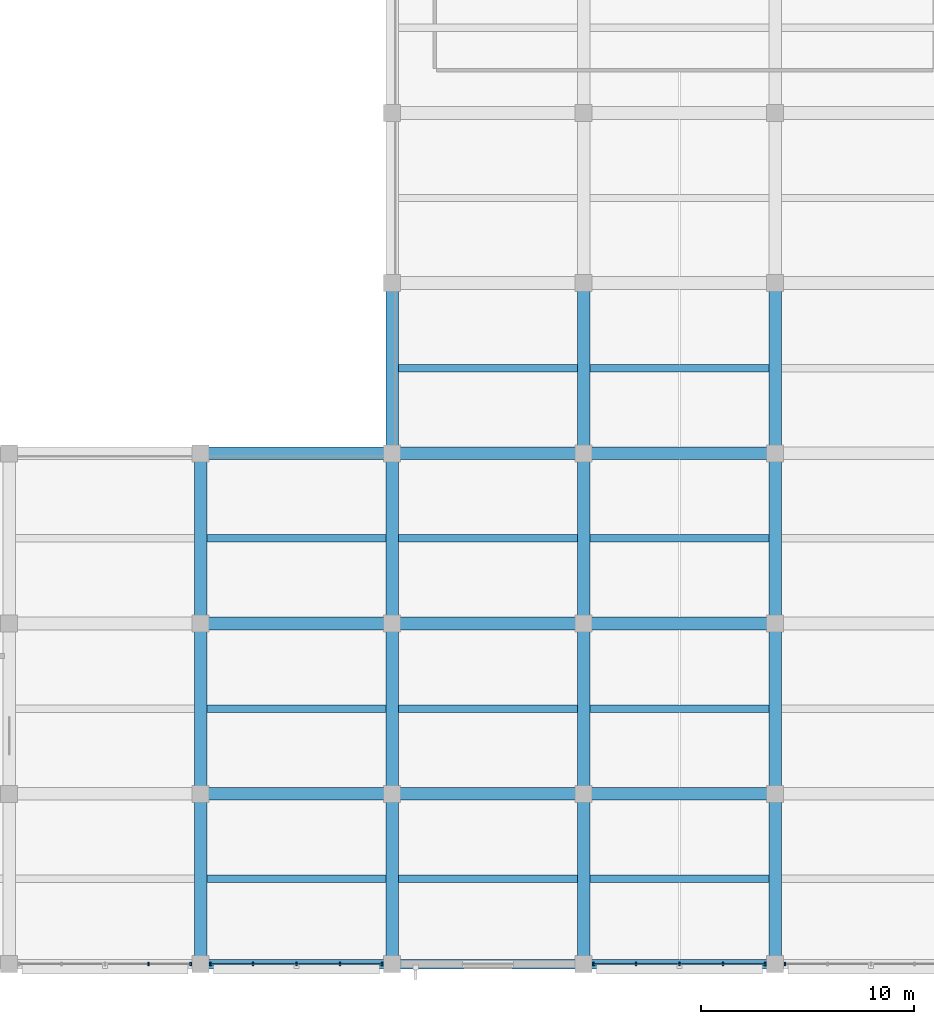
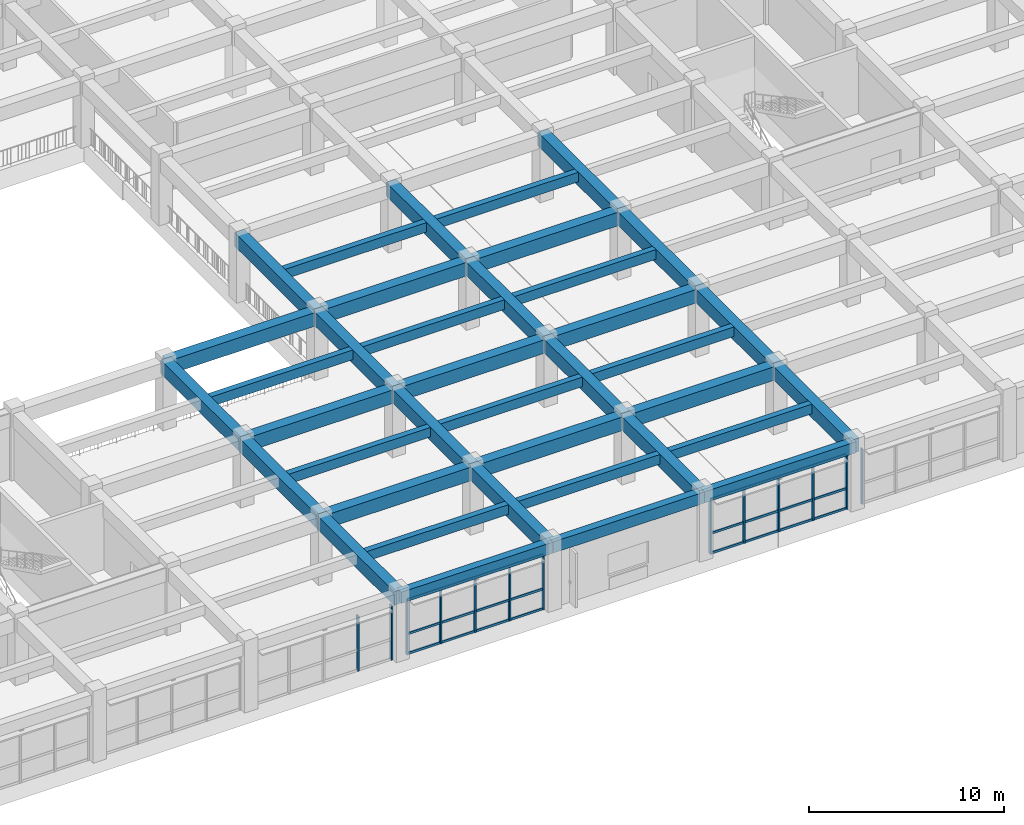
# One storey, part 11 of 50: 38 beams, 19 members, 4 elements without a shape of their own.
"""IFC4 building model written with IfcOpenShell, lengths in metres."""

from ifc_helpers import new_model, si_unit, direction, frame, origin, origin_2d, place, context, subcontext, project, spatial, rectangle, extrude, material, material_profile, profile_set, type_object, element, aggregate, save


model = new_model("IFC4")

# Units and contexts
model_context = context("Model", 3, precision=1e-05, world=origin(), true_north=direction((0.0, 1.0)))
body_context = subcontext(model_context, "Body", "Model", "MODEL_VIEW")
ifc_project = project(units=[si_unit("LENGTHUNIT", "METRE"), si_unit("AREAUNIT", "SQUARE_METRE"), si_unit("VOLUMEUNIT", "CUBIC_METRE"), si_unit("PLANEANGLEUNIT", "RADIAN"), si_unit("MASSUNIT", "GRAM", prefix="KILO")], contexts=[model_context])

# Site, building, storey
site_placement = place(None, origin())
site = spatial("IfcSite", under=ifc_project, at=site_placement, CompositionType="ELEMENT")
building_placement = place(site_placement, origin())
building = spatial("IfcBuilding", under=site, at=building_placement, Name="Zaverband Oceanarium and Marine Research Institute", CompositionType="ELEMENT")
storey_placement = place(building_placement, frame((0.0, 0.0, 4.5)))
storey = spatial("IfcBuildingStorey", under=building, at=storey_placement, Name="L01", CompositionType="ELEMENT", Elevation=4.5)

# Beams
ifc_material_1 = material(Name="Concrete C40/50", Category="concrete")
ifc_material_profile_1 = material_profile(ifc_material_1, rectangle(XDim=0.60009765625, YDim=0.85009765625, at=origin_2d()), Name="RC600x850")
ifc_profile_set_1 = profile_set([ifc_material_profile_1], Name="Concrete C40/50")
beam_type_1 = type_object("IfcBeamType", Name="BM-600x850", PredefinedType="BEAM", material=ifc_profile_set_1)
for number, where, z_axis, x_axis, name in (
    (1, (99.0, 8.0, 3.7548828125), (1.0, 0.0, 0.0), (0.0, 1.0, 0.0), "Primary floor girder BM-600x850"),
    (2, (108.0, 8.0, 3.7548828125), (1.0, 0.0, 0.0), (0.0, 1.0, 0.0), "Primary floor girder BM-600x850"),
    (3, (117.0, 8.0, 3.7548828125), (1.0, 0.0, 0.0), (0.0, 1.0, 0.0), "Primary floor girder BM-600x850"),
    (4, (99.0, 16.0, 3.7548828125), (1.0, 0.0, 0.0), (0.0, 1.0, 0.0), "Primary floor girder BM-600x850"),
    (5, (108.0, 16.0, 3.7548828125), (1.0, 0.0, 0.0), (0.0, 1.0, 0.0), "Primary floor girder BM-600x850"),
    (6, (117.0, 16.0, 3.7548828125), (1.0, 0.0, 0.0), (0.0, 1.0, 0.0), "Primary floor girder BM-600x850"),
    (7, (99.0, 24.0, 3.7548828125), (1.0, 0.0, 0.0), (0.0, 1.0, 0.0), "Primary floor girder BM-600x850"),
    (8, (108.0, 24.0, 3.7548828125), (1.0, 0.0, 0.0), (0.0, 1.0, 0.0), "Primary floor girder BM-600x850"),
    (9, (117.0, 24.0, 3.7548828125), (1.0, 0.0, 0.0), (0.0, 1.0, 0.0), "Primary floor girder BM-600x850"),
):
    element("IfcBeam", number, at=place(storey_placement, frame(where, z_axis=z_axis, x_axis=x_axis)), inside=storey, type_object=beam_type_1, Name=name, PredefinedType="BEAM", context=body_context, shape_type="SweptSolid", body=[
        extrude(rectangle(XDim=0.60009765625, YDim=0.85009765625, at=origin_2d()), origin(), (0.0, 0.0, 1.0), 9.0),
    ])
for number, where, z_axis, x_axis, name in (
    (10, (99.0, 0.0, 3.7548828125), (0.0, 1.0, 0.0), (-1.0, 0.0, 0.0), "Primary floor girder BM-600x850"),
    (11, (99.0, 8.0, 3.7548828125), (0.0, 1.0, 0.0), (-1.0, 0.0, 0.0), "Primary floor girder BM-600x850"),
    (12, (99.0, 16.0, 3.7548828125), (0.0, 1.0, 0.0), (-1.0, 0.0, 0.0), "Primary floor girder BM-600x850"),
    (13, (108.0, 0.0, 3.7548828125), (0.0, 1.0, 0.0), (-1.0, 0.0, 0.0), "Primary floor girder BM-600x850"),
    (14, (108.0, 8.0, 3.7548828125), (0.0, 1.0, 0.0), (-1.0, 0.0, 0.0), "Primary floor girder BM-600x850"),
    (15, (108.0, 16.0, 3.7548828125), (0.0, 1.0, 0.0), (-1.0, 0.0, 0.0), "Primary floor girder BM-600x850"),
    (16, (108.0, 24.0, 3.7548828125), (0.0, 1.0, 0.0), (-1.0, 0.0, 0.0), "Primary floor girder BM-600x850"),
    (17, (117.0, 0.0, 3.7548828125), (0.0, 1.0, 0.0), (-1.0, 0.0, 0.0), "Primary floor girder BM-600x850"),
    (18, (117.0, 8.0, 3.7548828125), (0.0, 1.0, 0.0), (-1.0, 0.0, 0.0), "Primary floor girder BM-600x850"),
    (19, (117.0, 16.0, 3.7548828125), (0.0, 1.0, 0.0), (-1.0, 0.0, 0.0), "Primary floor girder BM-600x850"),
    (20, (117.0, 24.0, 3.7548828125), (0.0, 1.0, 0.0), (-1.0, 0.0, 0.0), "Primary floor girder BM-600x850"),
    (21, (126.0, 0.0, 3.7548828125), (0.0, 1.0, 0.0), (-1.0, 0.0, 0.0), "Primary floor girder BM-600x850"),
    (22, (126.0, 8.0, 3.7548828125), (0.0, 1.0, 0.0), (-1.0, 0.0, 0.0), "Primary floor girder BM-600x850"),
    (23, (126.0, 16.0, 3.7548828125), (0.0, 1.0, 0.0), (-1.0, 0.0, 0.0), "Primary floor girder BM-600x850"),
    (24, (126.0, 24.0, 3.7548828125), (0.0, 1.0, 0.0), (-1.0, 0.0, 0.0), "Primary floor girder BM-600x850"),
):
    element("IfcBeam", number, at=place(storey_placement, frame(where, z_axis=z_axis, x_axis=x_axis)), inside=storey, type_object=beam_type_1, Name=name, PredefinedType="BEAM", context=body_context, shape_type="SweptSolid", body=[
        extrude(rectangle(XDim=0.60009765625, YDim=0.85009765625, at=origin_2d()), origin(), (0.0, 0.0, 1.0), 8.0),
    ])
ifc_material_profile_2 = material_profile(ifc_material_1, rectangle(XDim=0.35009765625, YDim=0.60009765625, at=origin_2d()), Name="RC350x600")
ifc_profile_set_2 = profile_set([ifc_material_profile_2], Name="Concrete C40/50")
beam_type_2 = type_object("IfcBeamType", Name="JST-350x600", PredefinedType="JOIST", material=ifc_profile_set_2)
for number, where, z_axis, x_axis, name in (
    (25, (99.300048828125, 4.0, 3.8798828125), (1.0, 0.0, 0.0), (0.0, 1.0, 0.0), "Secondary floor joist JST-350x600"),
    (26, (99.300048828125, 12.0, 3.8798828125), (1.0, 0.0, 0.0), (0.0, 1.0, 0.0), "Secondary floor joist JST-350x600"),
    (27, (99.300048828125, 20.0, 3.8798828125), (1.0, 0.0, 0.0), (0.0, 1.0, 0.0), "Secondary floor joist JST-350x600"),
    (28, (108.300048828125, 4.0, 3.8798828125), (1.0, 0.0, 0.0), (0.0, 1.0, 0.0), "Secondary floor joist JST-350x600"),
    (29, (108.300048828125, 12.0, 3.8798828125), (1.0, 0.0, 0.0), (0.0, 1.0, 0.0), "Secondary floor joist JST-350x600"),
    (30, (108.300048828125, 20.0, 3.8798828125), (1.0, 0.0, 0.0), (0.0, 1.0, 0.0), "Secondary floor joist JST-350x600"),
    (31, (108.300048828125, 28.0, 3.8798828125), (1.0, 0.0, 0.0), (0.0, 1.0, 0.0), "Secondary floor joist JST-350x600"),
    (32, (117.300048828125, 4.0, 3.8798828125), (1.0, 0.0, 0.0), (0.0, 1.0, 0.0), "Secondary floor joist JST-350x600"),
    (33, (117.300048828125, 12.0, 3.8798828125), (1.0, 0.0, 0.0), (0.0, 1.0, 0.0), "Secondary floor joist JST-350x600"),
    (34, (117.300048828125, 20.0, 3.8798828125), (1.0, 0.0, 0.0), (0.0, 1.0, 0.0), "Secondary floor joist JST-350x600"),
    (35, (117.300048828125, 28.0, 3.8798828125), (1.0, 0.0, 0.0), (0.0, 1.0, 0.0), "Secondary floor joist JST-350x600"),
):
    element("IfcBeam", number, at=place(storey_placement, frame(where, z_axis=z_axis, x_axis=x_axis)), inside=storey, type_object=beam_type_2, Name=name, PredefinedType="JOIST", context=body_context, shape_type="SweptSolid", body=[
        extrude(rectangle(XDim=0.35009765625, YDim=0.60009765625, at=origin_2d()), origin(), (0.0, 0.0, 1.0), 8.39990234375),
    ])

# Curtain wall, members
ifc_material_2 = material(Name="Thermally broken anodized aluminium and solar-control glass", Category="aluminium")
curtain_wall_type = type_object("IfcCurtainWallType", Name="CW-UNIT-1800", PredefinedType="NOTDEFINED", material=ifc_material_2)
curtain_wall_1_placement = place(storey_placement, origin())
curtain_wall_1 = element("IfcCurtainWall", 36, at=curtain_wall_1_placement, inside=storey, type_object=curtain_wall_type, Name="Unitised glazed curtain wall CW-019", PredefinedType="NOTDEFINED")
ifc_material_3 = material(Name="Thermally broken anodized aluminium", Category="aluminium")
ifc_material_profile_3 = material_profile(ifc_material_3, rectangle(XDim=0.080078125, YDim=0.179931640625, at=origin_2d()), Name="AL-MUL-80x180")
ifc_profile_set_3 = profile_set([ifc_material_profile_3], Name="Thermally broken anodized aluminium")
member_type_1 = type_object("IfcMemberType", Name="MUL-80x180", PredefinedType="MULLION", material=ifc_profile_set_3)
member_1_placement = place(storey_placement, frame((96.547607421875, 0.0, 0.0), z_axis=(0.0, 0.0, 1.0), x_axis=(1.0, 0.0, 0.0)))
member_1 = element("IfcMember", 37, at=member_1_placement, type_object=member_type_1, Name="Curtain wall vertical mullion MUL-80x180", PredefinedType="MULLION", context=body_context, shape_type="SweptSolid", body=[
    extrude(rectangle(XDim=0.080078125, YDim=0.179931640625, at=origin_2d()), origin(), (0.0, 0.0, 1.0), 3.4599609375),
])
member_2_placement = place(storey_placement, frame((98.534912109375, 0.0, 0.0), z_axis=(0.0, 0.0, 1.0), x_axis=(1.0, 0.0, 0.0)))
member_2 = element("IfcMember", 38, at=member_2_placement, type_object=member_type_1, Name="Curtain wall vertical mullion MUL-80x180", PredefinedType="MULLION", context=body_context, shape_type="SweptSolid", body=[
    extrude(rectangle(XDim=0.080078125, YDim=0.179931640625, at=origin_2d()), origin(), (0.0, 0.0, 1.0), 3.4599609375),
])
aggregate(curtain_wall_1, [member_1, member_2])

curtain_wall_2_placement = place(storey_placement, origin())
curtain_wall_2 = element("IfcCurtainWall", 39, at=curtain_wall_2_placement, inside=storey, type_object=curtain_wall_type, Name="Unitised glazed curtain wall CW-020", PredefinedType="NOTDEFINED")
member_3_placement = place(storey_placement, frame((99.465087890625, 0.0, 0.0), z_axis=(0.0, 0.0, 1.0), x_axis=(1.0, 0.0, 0.0)))
member_3 = element("IfcMember", 40, at=member_3_placement, type_object=member_type_1, Name="Curtain wall vertical mullion MUL-80x180", PredefinedType="MULLION", context=body_context, shape_type="SweptSolid", body=[
    extrude(rectangle(XDim=0.080078125, YDim=0.179931640625, at=origin_2d()), origin(), (0.0, 0.0, 1.0), 3.4599609375),
])
member_4_placement = place(storey_placement, frame((101.452392578125, 0.0, 0.0), z_axis=(0.0, 0.0, 1.0), x_axis=(1.0, 0.0, 0.0)))
member_4 = element("IfcMember", 41, at=member_4_placement, type_object=member_type_1, Name="Curtain wall vertical mullion MUL-80x180", PredefinedType="MULLION", context=body_context, shape_type="SweptSolid", body=[
    extrude(rectangle(XDim=0.080078125, YDim=0.179931640625, at=origin_2d()), origin(), (0.0, 0.0, 1.0), 3.4599609375),
])
member_5_placement = place(storey_placement, frame((103.5, 0.0, 0.0), z_axis=(0.0, 0.0, 1.0), x_axis=(1.0, 0.0, 0.0)))
member_5 = element("IfcMember", 42, at=member_5_placement, type_object=member_type_1, Name="Curtain wall vertical mullion MUL-80x180", PredefinedType="MULLION", context=body_context, shape_type="SweptSolid", body=[
    extrude(rectangle(XDim=0.080078125, YDim=0.179931640625, at=origin_2d()), origin(), (0.0, 0.0, 1.0), 3.4599609375),
])
member_6_placement = place(storey_placement, frame((105.547607421875, 0.0, 0.0), z_axis=(0.0, 0.0, 1.0), x_axis=(1.0, 0.0, 0.0)))
member_6 = element("IfcMember", 43, at=member_6_placement, type_object=member_type_1, Name="Curtain wall vertical mullion MUL-80x180", PredefinedType="MULLION", context=body_context, shape_type="SweptSolid", body=[
    extrude(rectangle(XDim=0.080078125, YDim=0.179931640625, at=origin_2d()), origin(), (0.0, 0.0, 1.0), 3.4599609375),
])
member_7_placement = place(storey_placement, frame((107.534912109375, 0.0, 0.0), z_axis=(0.0, 0.0, 1.0), x_axis=(1.0, 0.0, 0.0)))
member_7 = element("IfcMember", 44, at=member_7_placement, type_object=member_type_1, Name="Curtain wall vertical mullion MUL-80x180", PredefinedType="MULLION", context=body_context, shape_type="SweptSolid", body=[
    extrude(rectangle(XDim=0.080078125, YDim=0.179931640625, at=origin_2d()), origin(), (0.0, 0.0, 1.0), 3.4599609375),
])

curtain_wall_3_placement = place(storey_placement, origin())
curtain_wall_3 = element("IfcCurtainWall", 45, at=curtain_wall_3_placement, inside=storey, type_object=curtain_wall_type, Name="Unitised glazed curtain wall CW-021", PredefinedType="NOTDEFINED")
member_8_placement = place(storey_placement, frame((117.465087890625, 0.0, 0.0), z_axis=(0.0, 0.0, 1.0), x_axis=(1.0, 0.0, 0.0)))
member_8 = element("IfcMember", 46, at=member_8_placement, type_object=member_type_1, Name="Curtain wall vertical mullion MUL-80x180", PredefinedType="MULLION", context=body_context, shape_type="SweptSolid", body=[
    extrude(rectangle(XDim=0.080078125, YDim=0.179931640625, at=origin_2d()), origin(), (0.0, 0.0, 1.0), 3.4599609375),
])
member_9_placement = place(storey_placement, frame((119.452392578125, 0.0, 0.0), z_axis=(0.0, 0.0, 1.0), x_axis=(1.0, 0.0, 0.0)))
member_9 = element("IfcMember", 47, at=member_9_placement, type_object=member_type_1, Name="Curtain wall vertical mullion MUL-80x180", PredefinedType="MULLION", context=body_context, shape_type="SweptSolid", body=[
    extrude(rectangle(XDim=0.080078125, YDim=0.179931640625, at=origin_2d()), origin(), (0.0, 0.0, 1.0), 3.4599609375),
])
member_10_placement = place(storey_placement, frame((121.5, 0.0, 0.0), z_axis=(0.0, 0.0, 1.0), x_axis=(1.0, 0.0, 0.0)))
member_10 = element("IfcMember", 48, at=member_10_placement, type_object=member_type_1, Name="Curtain wall vertical mullion MUL-80x180", PredefinedType="MULLION", context=body_context, shape_type="SweptSolid", body=[
    extrude(rectangle(XDim=0.080078125, YDim=0.179931640625, at=origin_2d()), origin(), (0.0, 0.0, 1.0), 3.4599609375),
])
member_11_placement = place(storey_placement, frame((123.547607421875, 0.0, 0.0), z_axis=(0.0, 0.0, 1.0), x_axis=(1.0, 0.0, 0.0)))
member_11 = element("IfcMember", 49, at=member_11_placement, type_object=member_type_1, Name="Curtain wall vertical mullion MUL-80x180", PredefinedType="MULLION", context=body_context, shape_type="SweptSolid", body=[
    extrude(rectangle(XDim=0.080078125, YDim=0.179931640625, at=origin_2d()), origin(), (0.0, 0.0, 1.0), 3.4599609375),
])
member_12_placement = place(storey_placement, frame((125.534912109375, 0.0, 0.0), z_axis=(0.0, 0.0, 1.0), x_axis=(1.0, 0.0, 0.0)))
member_12 = element("IfcMember", 50, at=member_12_placement, type_object=member_type_1, Name="Curtain wall vertical mullion MUL-80x180", PredefinedType="MULLION", context=body_context, shape_type="SweptSolid", body=[
    extrude(rectangle(XDim=0.080078125, YDim=0.179931640625, at=origin_2d()), origin(), (0.0, 0.0, 1.0), 3.4599609375),
])

# Curtain wall, member
curtain_wall_4_placement = place(storey_placement, origin())
curtain_wall_4 = element("IfcCurtainWall", 51, at=curtain_wall_4_placement, inside=storey, type_object=curtain_wall_type, Name="Unitised glazed curtain wall CW-022", PredefinedType="NOTDEFINED")
member_13_placement = place(storey_placement, frame((126.465087890625, 0.0, 0.0), z_axis=(0.0, 0.0, 1.0), x_axis=(1.0, 0.0, 0.0)))
member_13 = element("IfcMember", 52, at=member_13_placement, type_object=member_type_1, Name="Curtain wall vertical mullion MUL-80x180", PredefinedType="MULLION", context=body_context, shape_type="SweptSolid", body=[
    extrude(rectangle(XDim=0.080078125, YDim=0.179931640625, at=origin_2d()), origin(), (0.0, 0.0, 1.0), 3.4599609375),
])
aggregate(curtain_wall_4, [member_13])

# Beams
ifc_material_profile_4 = material_profile(ifc_material_1, rectangle(XDim=0.449951171875, YDim=0.699951171875, at=origin_2d()), Name="RC450x700")
ifc_profile_set_4 = profile_set([ifc_material_profile_4], Name="Concrete C40/50")
beam_type_3 = type_object("IfcBeamType", Name="SPN-450x700", PredefinedType="SPANDREL", material=ifc_profile_set_4)
for number, where, z_axis, x_axis, name in (
    (53, (99.0, 0.0, 3.830078125), (1.0, 0.0, 0.0), (0.0, 1.0, 0.0), "Perimeter spandrel beam SPN-450x700"),
    (54, (108.0, 0.0, 3.830078125), (1.0, 0.0, 0.0), (0.0, 1.0, 0.0), "Perimeter spandrel beam SPN-450x700"),
    (55, (117.0, 0.0, 3.830078125), (1.0, 0.0, 0.0), (0.0, 1.0, 0.0), "Perimeter spandrel beam SPN-450x700"),
):
    element("IfcBeam", number, at=place(storey_placement, frame(where, z_axis=z_axis, x_axis=x_axis)), inside=storey, type_object=beam_type_3, Name=name, PredefinedType="SPANDREL", context=body_context, shape_type="SweptSolid", body=[
        extrude(rectangle(XDim=0.449951171875, YDim=0.699951171875, at=origin_2d()), origin(), (0.0, 0.0, 1.0), 9.0),
    ])

# Member
ifc_material_profile_5 = material_profile(ifc_material_3, rectangle(XDim=0.080078125, YDim=0.139892578125, at=origin_2d()), Name="AL-TRN-80x140")
ifc_profile_set_5 = profile_set([ifc_material_profile_5], Name="Thermally broken anodized aluminium")
member_type_2 = type_object("IfcMemberType", Name="TRN-80x140", PredefinedType="USERDEFINED", material=ifc_profile_set_5)
member_14_placement = place(storey_placement, frame((99.465087890625, 0.0, 0.050048828125), z_axis=(1.0, 0.0, 0.0), x_axis=(0.0, 1.0, 0.0)))
member_14 = element("IfcMember", 56, at=member_14_placement, type_object=member_type_2, Name="Curtain wall horizontal transom TRN-80x140", ObjectType="TRANSOM", PredefinedType="USERDEFINED", context=body_context, shape_type="SweptSolid", body=[
    extrude(rectangle(XDim=0.080078125, YDim=0.139892578125, at=origin_2d()), origin(), (0.0, 0.0, 1.0), 8.06982421875),
])

member_15_placement = place(storey_placement, frame((99.465087890625, 0.0, 1.291015625), z_axis=(1.0, 0.0, 0.0), x_axis=(0.0, 1.0, 0.0)))
member_15 = element("IfcMember", 57, at=member_15_placement, type_object=member_type_2, Name="Curtain wall horizontal transom TRN-80x140", ObjectType="TRANSOM", PredefinedType="USERDEFINED", context=body_context, shape_type="SweptSolid", body=[
    extrude(rectangle(XDim=0.080078125, YDim=0.139892578125, at=origin_2d()), origin(), (0.0, 0.0, 1.0), 8.06982421875),
])

member_16_placement = place(storey_placement, frame((99.465087890625, 0.0, 3.409912109375), z_axis=(1.0, 0.0, 0.0), x_axis=(0.0, 1.0, 0.0)))
member_16 = element("IfcMember", 58, at=member_16_placement, type_object=member_type_2, Name="Curtain wall horizontal transom TRN-80x140", ObjectType="TRANSOM", PredefinedType="USERDEFINED", context=body_context, shape_type="SweptSolid", body=[
    extrude(rectangle(XDim=0.080078125, YDim=0.139892578125, at=origin_2d()), origin(), (0.0, 0.0, 1.0), 8.06982421875),
])

aggregate(curtain_wall_2, [member_3, member_4, member_5, member_6, member_7, member_14, member_15, member_16])

member_17_placement = place(storey_placement, frame((117.465087890625, 0.0, 0.050048828125), z_axis=(1.0, 0.0, 0.0), x_axis=(0.0, 1.0, 0.0)))
member_17 = element("IfcMember", 59, at=member_17_placement, type_object=member_type_2, Name="Curtain wall horizontal transom TRN-80x140", ObjectType="TRANSOM", PredefinedType="USERDEFINED", context=body_context, shape_type="SweptSolid", body=[
    extrude(rectangle(XDim=0.080078125, YDim=0.139892578125, at=origin_2d()), origin(), (0.0, 0.0, 1.0), 8.06982421875),
])

member_18_placement = place(storey_placement, frame((117.465087890625, 0.0, 1.291015625), z_axis=(1.0, 0.0, 0.0), x_axis=(0.0, 1.0, 0.0)))
member_18 = element("IfcMember", 60, at=member_18_placement, type_object=member_type_2, Name="Curtain wall horizontal transom TRN-80x140", ObjectType="TRANSOM", PredefinedType="USERDEFINED", context=body_context, shape_type="SweptSolid", body=[
    extrude(rectangle(XDim=0.080078125, YDim=0.139892578125, at=origin_2d()), origin(), (0.0, 0.0, 1.0), 8.06982421875),
])

member_19_placement = place(storey_placement, frame((117.465087890625, 0.0, 3.409912109375), z_axis=(1.0, 0.0, 0.0), x_axis=(0.0, 1.0, 0.0)))
member_19 = element("IfcMember", 61, at=member_19_placement, type_object=member_type_2, Name="Curtain wall horizontal transom TRN-80x140", ObjectType="TRANSOM", PredefinedType="USERDEFINED", context=body_context, shape_type="SweptSolid", body=[
    extrude(rectangle(XDim=0.080078125, YDim=0.139892578125, at=origin_2d()), origin(), (0.0, 0.0, 1.0), 8.06982421875),
])

aggregate(curtain_wall_3, [member_8, member_9, member_10, member_11, member_12, member_17, member_18, member_19])

save(model, "model.ifc")
